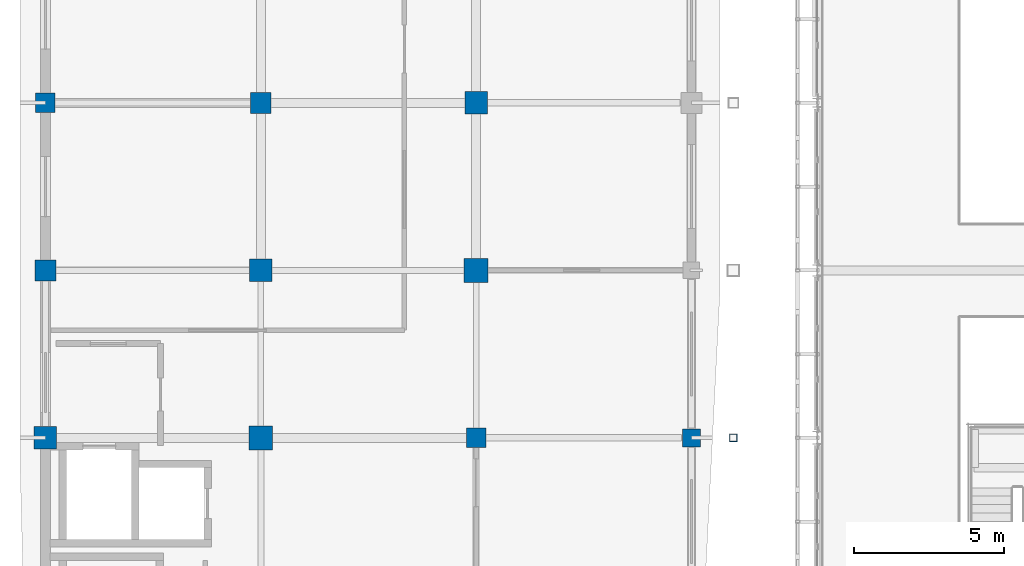
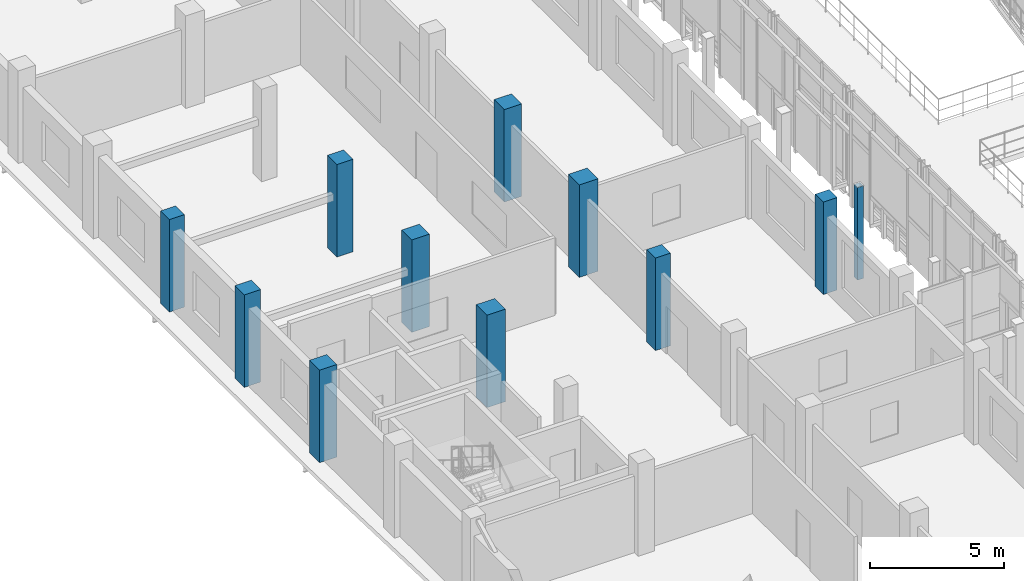
# One storey, part 7 of 121: 11 columns.
"""IFC4 building model written with IfcOpenShell, lengths in metres."""

from ifc_helpers import new_model, si_unit, direction, frame, origin, origin_2d, place, context, subcontext, project, spatial, rectangle, hollow_rectangle, extrude, material, material_profile, profile_set, type_object, element, save


model = new_model("IFC4")

# Units and contexts
model_context = context("Model", 3, precision=1e-05, world=origin(), true_north=direction((0.0, 1.0)))
body_context = subcontext(model_context, "Body", "Model", "MODEL_VIEW")
ifc_project = project(units=[si_unit("LENGTHUNIT", "METRE"), si_unit("AREAUNIT", "SQUARE_METRE"), si_unit("VOLUMEUNIT", "CUBIC_METRE"), si_unit("PLANEANGLEUNIT", "RADIAN"), si_unit("MASSUNIT", "GRAM", prefix="KILO")], contexts=[model_context])

# Site, building, storey
site_placement = place(None, origin())
site = spatial("IfcSite", under=ifc_project, at=site_placement, CompositionType="ELEMENT")
building_placement = place(site_placement, origin())
building = spatial("IfcBuilding", under=site, at=building_placement, Name="Vinh Khe Railworks Police Headquarters", CompositionType="ELEMENT")
storey_placement = place(building_placement, frame((0.0, 0.0, 4.800048828125)))
storey = spatial("IfcBuildingStorey", under=building, at=storey_placement, Name="L01", CompositionType="ELEMENT", Elevation=4.800048828125)

# Columns
ifc_material_1 = material(Name="Concrete C40/50 (B40)", Category="concrete")
ifc_material_profile_1 = material_profile(ifc_material_1, rectangle(XDim=0.60009765625, YDim=0.60009765625, at=origin_2d()), Name="RC 600x600")
ifc_profile_set_1 = profile_set([ifc_material_profile_1], Name="Concrete C40/50 (B40)")
column_type_1 = type_object("IfcColumnType", Name="RC Column RC 600x600", PredefinedType="COLUMN", material=ifc_profile_set_1)
column_1_placement = place(storey_placement, frame((22.199951171875, 36.39990234375, 0.0), z_axis=(0.0, 0.0, 1.0), x_axis=(1.0, 0.0, 0.0)))
element("IfcColumn", 1, at=column_1_placement, inside=storey, type_object=column_type_1, Name="Column COL-L01-CC-05-0537", PredefinedType="COLUMN", context=body_context, shape_type="SweptSolid", body=[
    extrude(rectangle(XDim=0.60009765625, YDim=0.60009765625, at=origin_2d()), origin(), (0.0, 0.0, 1.0), 4.199951171875),
])
ifc_material_profile_2 = material_profile(ifc_material_1, rectangle(XDim=0.64990234375, YDim=0.64990234375, at=origin_2d()), Name="RC 650x650")
ifc_profile_set_2 = profile_set([ifc_material_profile_2], Name="Concrete C40/50 (B40)")
column_type_2 = type_object("IfcColumnType", Name="RC Column RC 650x650", PredefinedType="COLUMN", material=ifc_profile_set_2)
for number, where, z_axis, x_axis, name in (
    (2, (0.60009765625, 47.60009765625, 0.0), (0.0, 0.0, 1.0), (1.0, 0.0, 0.0), "Column COL-L01-CC-04-0059"),
    (3, (15.0, 36.39990234375, 0.0), (0.0, 0.0, 1.0), (1.0, 0.0, 0.0), "Column COL-L01-CC-04-0373"),
):
    element("IfcColumn", number, at=place(storey_placement, frame(where, z_axis=z_axis, x_axis=x_axis)), inside=storey, type_object=column_type_2, Name=name, PredefinedType="COLUMN", context=body_context, shape_type="SweptSolid", body=[
        extrude(rectangle(XDim=0.64990234375, YDim=0.64990234375, at=origin_2d()), origin(), (0.0, 0.0, 1.0), 4.199951171875),
    ])
ifc_material_profile_3 = material_profile(ifc_material_1, rectangle(XDim=0.699951171875, YDim=0.699951171875, at=origin_2d()), Name="RC 700x700")
ifc_profile_set_3 = profile_set([ifc_material_profile_3], Name="Concrete C40/50 (B40)")
column_type_3 = type_object("IfcColumnType", Name="RC Column RC 700x700", PredefinedType="COLUMN", material=ifc_profile_set_3)
for number, where, z_axis, x_axis, name in (
    (4, (0.60009765625, 42.0, 0.0), (0.0, 0.0, 1.0), (1.0, 0.0, 0.0), "Column COL-L01-CC-03-0049"),
    (5, (7.800048828125, 47.60009765625, 0.0), (0.0, 0.0, 1.0), (1.0, 0.0, 0.0), "Column COL-L01-CC-03-0226"),
):
    element("IfcColumn", number, at=place(storey_placement, frame(where, z_axis=z_axis, x_axis=x_axis)), inside=storey, type_object=column_type_3, Name=name, PredefinedType="COLUMN", context=body_context, shape_type="SweptSolid", body=[
        extrude(rectangle(XDim=0.699951171875, YDim=0.699951171875, at=origin_2d()), origin(), (0.0, 0.0, 1.0), 4.199951171875),
    ])
ifc_material_profile_4 = material_profile(ifc_material_1, rectangle(XDim=0.75, YDim=0.75, at=origin_2d()), Name="RC 750x750")
ifc_profile_set_4 = profile_set([ifc_material_profile_4], Name="Concrete C40/50 (B40)")
column_type_4 = type_object("IfcColumnType", Name="RC Column RC 750x750", PredefinedType="COLUMN", material=ifc_profile_set_4)
for number, where, z_axis, x_axis, name in (
    (6, (0.60009765625, 36.39990234375, 0.0), (0.0, 0.0, 1.0), (1.0, 0.0, 0.0), "Column COL-L01-CC-02-0039"),
    (7, (7.800048828125, 42.0, 0.0), (0.0, 0.0, 1.0), (1.0, 0.0, 0.0), "Column COL-L01-CC-02-0216"),
    (8, (15.0, 47.60009765625, 0.0), (0.0, 0.0, 1.0), (1.0, 0.0, 0.0), "Column COL-L01-CC-02-0393"),
):
    element("IfcColumn", number, at=place(storey_placement, frame(where, z_axis=z_axis, x_axis=x_axis)), inside=storey, type_object=column_type_4, Name=name, PredefinedType="COLUMN", context=body_context, shape_type="SweptSolid", body=[
        extrude(rectangle(XDim=0.75, YDim=0.75, at=origin_2d()), origin(), (0.0, 0.0, 1.0), 4.199951171875),
    ])
ifc_material_profile_5 = material_profile(ifc_material_1, rectangle(XDim=0.800048828125, YDim=0.800048828125, at=origin_2d()), Name="RC 800x800")
ifc_profile_set_5 = profile_set([ifc_material_profile_5], Name="Concrete C40/50 (B40)")
column_type_5 = type_object("IfcColumnType", Name="RC Column RC 800x800", PredefinedType="COLUMN", material=ifc_profile_set_5)
for number, where, z_axis, x_axis, name in (
    (9, (7.800048828125, 36.39990234375, 0.0), (0.0, 0.0, 1.0), (1.0, 0.0, 0.0), "Column COL-L01-CC-01-0206"),
    (10, (15.0, 42.0, 0.0), (0.0, 0.0, 1.0), (1.0, 0.0, 0.0), "Column COL-L01-CC-01-0383"),
):
    element("IfcColumn", number, at=place(storey_placement, frame(where, z_axis=z_axis, x_axis=x_axis)), inside=storey, type_object=column_type_5, Name=name, PredefinedType="COLUMN", context=body_context, shape_type="SweptSolid", body=[
        extrude(rectangle(XDim=0.800048828125, YDim=0.800048828125, at=origin_2d()), origin(), (0.0, 0.0, 1.0), 4.199951171875),
    ])
ifc_material_2 = material(Name="Steel S355JR", Category="steel")
ifc_material_profile_6 = material_profile(ifc_material_2, hollow_rectangle(XDim=0.25, YDim=0.25, WallThickness=0.012451171875, at=origin_2d()), Name="SHS 250x250x12.5")
ifc_profile_set_6 = profile_set([ifc_material_profile_6], Name="Steel S355JR")
column_type_6 = type_object("IfcColumnType", Name="Steel Column SHS 250x250x12.5", PredefinedType="COLUMN", material=ifc_profile_set_6)
column_2_placement = place(storey_placement, frame((23.60009765625, 36.39990234375, 0.0), z_axis=(0.0, 0.0, 1.0), x_axis=(1.0, 0.0, 0.0)))
element("IfcColumn", 11, at=column_2_placement, inside=storey, type_object=column_type_6, Name="Column COL-L01-SC-24-0672", PredefinedType="COLUMN", context=body_context, shape_type="SweptSolid", body=[
    extrude(hollow_rectangle(XDim=0.25, YDim=0.25, WallThickness=0.012451171875, at=origin_2d()), origin(), (0.0, 0.0, 1.0), 4.199951171875),
])

save(model, "model.ifc")
